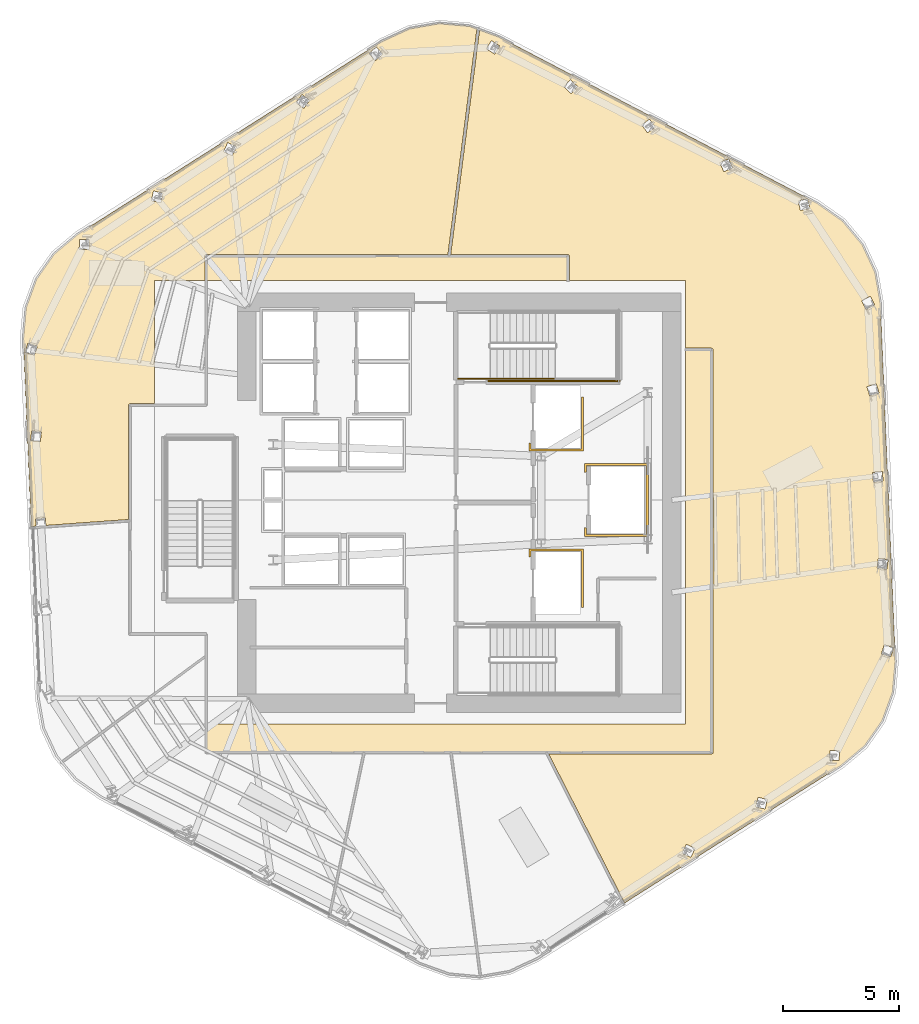
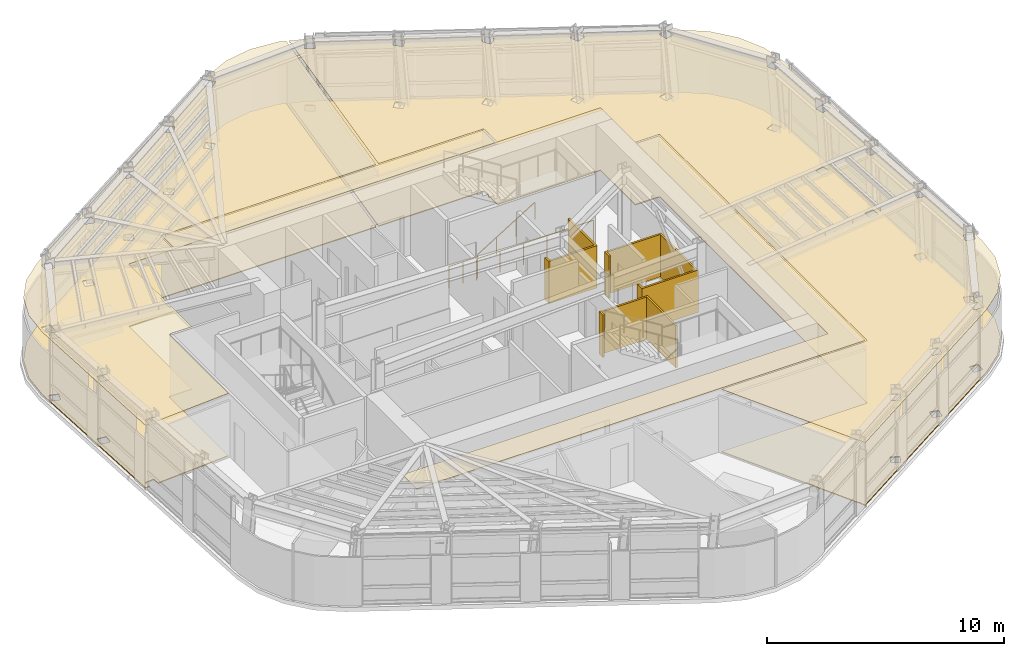
# One storey, part 12 of 15: 9 coverings, 3 railings.
"""IFC4 building model written with IfcOpenShell, lengths in metres."""

from ifc_helpers import new_model, si_unit, direction, frame, origin, origin_2d, place, context, subcontext, project, spatial, polyline, circle, outline, extrude, material, layer, layer_set, type_object, element, save


model = new_model("IFC4")

# Units and contexts
model_context = context("Model", 3, precision=1e-05, world=origin(), true_north=direction((0.0, 1.0)))
body_context = subcontext(model_context, "Body", "Model", "MODEL_VIEW")
ifc_project = project(units=[si_unit("LENGTHUNIT", "METRE"), si_unit("AREAUNIT", "SQUARE_METRE"), si_unit("VOLUMEUNIT", "CUBIC_METRE"), si_unit("PLANEANGLEUNIT", "RADIAN"), si_unit("MASSUNIT", "GRAM", prefix="KILO")], contexts=[model_context])

# Site, building, storey
site_placement = place(None, origin())
site = spatial("IfcSite", under=ifc_project, at=site_placement, CompositionType="ELEMENT")
building_placement = place(site_placement, origin())
building = spatial("IfcBuilding", under=site, at=building_placement, Name="Valkerne Bourse Tower", CompositionType="ELEMENT")
storey_placement = place(building_placement, frame((0.0, 0.0, 162.800048828125)))
storey = spatial("IfcBuildingStorey", under=building, at=storey_placement, Name="L41", CompositionType="ELEMENT", Elevation=162.800048828125)

# Coverings
ifc_material_1 = material(Name="Mineral Fiber Acoustic Ceiling Tile", Category="acoustic")
ifc_layer_1 = layer(ifc_material_1, 0.02490234375)
ifc_layer_set_1 = layer_set([ifc_layer_1], Name="Mineral Fiber Acoustic Ceiling Tile")
covering_type_1 = type_object("IfcCoveringType", Name="COV-CEIL-ACT", PredefinedType="CEILING", material=ifc_layer_set_1)
covering_1_placement = place(storey_placement, frame((0.0, 0.0, 3.22998046875)))
element("IfcCovering", 1, at=covering_1_placement, inside=storey, type_object=covering_type_1, Name="L41 Suspended Ceiling 08", PredefinedType="CEILING", context=body_context, shape_type="SweptSolid", body=[
    extrude(outline(polyline([(28.49951171875, 36.567138671875), (29.25830078125, 37.646728515625), (30.278076171875, 38.49951171875), (43.4296875, 46.845703125), (44.63525390625, 47.4052734375), (45.935302734375, 47.632080078125), (47.24951171875, 47.514892578125), (47.563720703125, 47.39990234375), (46.307373046875, 37.62890625), (35.849365234375, 37.62890625), (35.80419921875, 37.61181640625), (35.787353515625, 37.589111328125), (35.781005859375, 37.560302734375), (35.781005859375, 36.5), (33.60009765625, 36.5), (33.60009765625, 31.1689453125), (32.549560546875, 31.1689453125), (32.514892578125, 31.15966796875), (32.490966796875, 31.135986328125), (32.48095703125, 31.1005859375), (32.48095703125, 26.15673828125), (28.906982421875, 25.899169921875), (28.877197265625, 26.223388671875), (28.454345703125, 26.1845703125), (28.45458984375, 26.181884765625), (28.4833984375, 25.868408203125), (28.26953125, 25.85302734375), (27.927978515625, 34.004150390625), (28.046142578125, 35.327880859375), (28.49951171875, 36.567138671875)]), holes=[polyline([(28.6640625, 29.5341796875), (28.710693359375, 29.944580078125), (28.288818359375, 29.99267578125), (28.28857421875, 29.989990234375), (28.241943359375, 29.57958984375), (28.663818359375, 29.531494140625), (28.6640625, 29.5341796875)]), polyline([(28.532470703125, 33.66259765625), (28.127197265625, 33.7890625), (28.126220703125, 33.786376953125), (28.003173828125, 33.39208984375), (28.408447265625, 33.265380859375), (28.409423828125, 33.268310546875), (28.532470703125, 33.66259765625)]), polyline([(30.776123046875, 38.264892578125), (30.3623046875, 38.28125), (30.36083984375, 38.279052734375), (30.34521484375, 37.855712890625), (30.759033203125, 37.83935546875), (30.7607421875, 37.841796875), (30.776123046875, 38.264892578125)]), polyline([(33.96728515625, 40.2841796875), (33.56396484375, 40.3779296875), (33.56201171875, 40.3759765625), (33.467041015625, 39.962890625), (33.870361328125, 39.869140625), (33.872314453125, 39.87109375), (33.96728515625, 40.2841796875)]), polyline([(36.974365234375, 41.907958984375), (37.151123046875, 42.29296875), (36.775390625, 42.466796875), (36.773193359375, 42.46533203125), (36.59619140625, 42.080322265625), (36.97216796875, 41.906494140625), (36.974365234375, 41.907958984375)]), polyline([(40.072021484375, 43.95654296875), (40.323486328125, 44.29736328125), (39.990966796875, 44.544189453125), (39.98828125, 44.543212890625), (39.73681640625, 44.2021484375), (40.0693359375, 43.95556640625), (40.072021484375, 43.95654296875)]), polyline([(43.483642578125, 46.3046875), (43.20361328125, 46.609375), (43.20068359375, 46.60888671875), (42.8896484375, 46.3212890625), (43.169921875, 46.0166015625), (43.172607421875, 46.01708984375), (43.483642578125, 46.3046875)])]), origin(), (0.0, 0.0, 1.0), 0.02490234375),
])
covering_2_placement = place(storey_placement, frame((0.0, 0.0, 3.22998046875)))
element("IfcCovering", 2, at=covering_2_placement, inside=storey, type_object=covering_type_1, Name="L41 Suspended Ceiling 09", PredefinedType="CEILING", context=body_context, shape_type="SweptSolid", body=[
    extrude(outline(polyline([(64.341552734375, 16.353271484375), (63.322021484375, 15.50048828125), (53.95458984375, 9.555908203125), (53.84423828125, 9.772216796875), (53.863037109375, 9.7978515625), (53.811767578125, 9.8359375), (50.665283203125, 16.010986328125), (57.720703125, 16.010986328125), (57.7607421875, 16.024169921875), (57.784912109375, 16.056396484375), (57.7880859375, 33.510986328125), (57.76611328125, 33.5517578125), (57.723388671875, 33.56884765625), (56.60009765625, 33.569091796875), (56.60009765625, 36.5), (51.569091796875, 36.5), (51.56884765625, 37.5634765625), (51.551513671875, 37.606201171875), (51.510009765625, 37.62841796875), (46.42626953125, 37.62890625), (47.67724609375, 47.3583984375), (48.497802734375, 47.05810546875), (62.3017578125, 39.841552734375), (63.38916015625, 39.077392578125), (64.235595703125, 38.06494140625), (64.791259765625, 36.8681640625), (65.019775390625, 35.558837890625), (65.672119140625, 19.995849609375), (65.553955078125, 18.672119140625), (65.100341796875, 17.432861328125), (64.341552734375, 16.353271484375)]), holes=[polyline([(51.611572265625, 45.187744140625), (51.60888671875, 45.1884765625), (51.326904296875, 44.88525390625), (51.63623046875, 44.595947265625), (51.638916015625, 44.59521484375), (51.9208984375, 44.8984375), (51.611572265625, 45.187744140625)]), polyline([(48.19140625, 46.882080078125), (48.1884765625, 46.88232421875), (47.968505859375, 46.531494140625), (48.32666015625, 46.305419921875), (48.329345703125, 46.305419921875), (48.54931640625, 46.656005859375), (48.19140625, 46.882080078125)]), polyline([(56.826904296875, 11.53466796875), (57.003662109375, 11.919677734375), (56.6279296875, 12.093505859375), (56.625732421875, 12.092041015625), (56.44873046875, 11.70703125), (56.82470703125, 11.533203125), (56.826904296875, 11.53466796875)]), polyline([(60.0380859375, 13.6240234375), (60.1328125, 14.037109375), (59.7294921875, 14.130859375), (59.727783203125, 14.12890625), (59.6328125, 13.7158203125), (60.0361328125, 13.6220703125), (60.0380859375, 13.6240234375)]), polyline([(63.254638671875, 16.144287109375), (62.841064453125, 16.16064453125), (62.83935546875, 16.158203125), (62.823974609375, 15.735107421875), (63.237548828125, 15.71875), (63.2392578125, 15.720947265625), (63.254638671875, 16.144287109375)]), polyline([(65.5966796875, 20.60791015625), (65.19140625, 20.734619140625), (65.1904296875, 20.731689453125), (65.067626953125, 20.33740234375), (65.472900390625, 20.2109375), (65.473876953125, 20.213623046875), (65.5966796875, 20.60791015625)]), polyline([(65.358154296875, 24.42041015625), (64.936279296875, 24.468505859375), (64.935791015625, 24.4658203125), (64.88916015625, 24.055419921875), (65.31103515625, 24.00732421875), (65.3115234375, 24.010009765625), (65.358154296875, 24.42041015625)]), polyline([(65.1455078125, 27.8154296875), (65.1455078125, 27.818115234375), (65.107421875, 28.2294921875), (64.684814453125, 28.19091796875), (64.684814453125, 28.18798828125), (64.722900390625, 27.776611328125), (65.1455078125, 27.8154296875)]), polyline([(64.9697265625, 31.634033203125), (64.84912109375, 32.029052734375), (64.443115234375, 31.905029296875), (64.443603515625, 31.902587890625), (64.564453125, 31.50732421875), (64.970458984375, 31.63134765625), (64.9697265625, 31.634033203125)]), polyline([(64.782958984375, 35.448486328125), (64.78173828125, 35.451171875), (64.589111328125, 35.81640625), (64.21337890625, 35.618408203125), (64.214599609375, 35.61572265625), (64.407470703125, 35.25048828125), (64.782958984375, 35.448486328125)]), polyline([(61.968017578125, 39.623779296875), (61.87548828125, 40.037109375), (61.873779296875, 40.039306640625), (61.4697265625, 39.94775390625), (61.56201171875, 39.534423828125), (61.56396484375, 39.5322265625), (61.968017578125, 39.623779296875)]), polyline([(58.46044921875, 41.76416015625), (58.45849609375, 41.765869140625), (58.078857421875, 41.60009765625), (58.247314453125, 41.21142578125), (58.24951171875, 41.209716796875), (58.62890625, 41.37548828125), (58.46044921875, 41.76416015625)]), polyline([(55.281005859375, 43.1357421875), (55.036865234375, 43.48193359375), (55.03466796875, 43.483154296875), (54.69677734375, 43.24365234375), (54.94091796875, 42.8974609375), (54.943115234375, 42.896240234375), (55.281005859375, 43.1357421875)])]), origin(), (0.0, 0.0, 1.0), 0.02490234375),
])
ifc_material_2 = material(Name="Bronze Anodised Aluminium AA 6063-T6", Category="aluminium")
ifc_layer_2 = layer(ifc_material_2, 0.030029296875)
ifc_layer_set_2 = layer_set([ifc_layer_2], Name="Bronze Anodised Aluminium AA 6063-T6")
covering_type_2 = type_object("IfcCoveringType", Name="COV-CEIL-METAL", PredefinedType="CEILING", material=ifc_layer_set_2)
covering_3_placement = place(storey_placement, frame((0.0, 0.0, 3.22998046875)))
element("IfcCovering", 3, at=covering_3_placement, inside=storey, type_object=covering_type_2, Name="L41 Suspended Ceiling 01", PredefinedType="CEILING", context=body_context, shape_type="SweptSolid", body=[
    extrude(outline(polyline([(35.85400390625, 17.300048828125), (56.60009765625, 17.300048828125), (56.60009765625, 33.49609375), (57.716064453125, 33.49609375), (57.716064453125, 16.083984375), (35.85400390625, 16.083984375), (35.85400390625, 17.300048828125)])), origin(), (0.0, 0.0, 1.0), 0.02490234375),
])
covering_4_placement = place(storey_placement, frame((0.0, 0.0, 3.22998046875)))
element("IfcCovering", 4, at=covering_4_placement, inside=storey, type_object=covering_type_2, Name="L41 Suspended Ceiling 03", PredefinedType="CEILING", context=body_context, shape_type="SweptSolid", body=[
    extrude(outline(polyline([(35.85400390625, 37.555908203125), (51.49609375, 37.555908203125), (51.49609375, 36.5), (35.85400390625, 36.5), (35.85400390625, 37.555908203125)])), origin(), (0.0, 0.0, 1.0), 0.02490234375),
])
ifc_material_3 = material(Name="Galvanised Painted Steel", Category="steel")
ifc_layer_3 = layer(ifc_material_3, 0.044921875)
ifc_layer_set_3 = layer_set([ifc_layer_3], Name="Galvanised Painted Steel")
covering_type_3 = type_object("IfcCoveringType", Name="COV-FLR-RAF", PredefinedType="FLOORING", material=ifc_layer_set_3)
covering_5_placement = place(storey_placement, origin())
element("IfcCovering", 5, at=covering_5_placement, inside=storey, type_object=covering_type_3, Name="L41 Floor Finish 08", PredefinedType="FLOORING", context=body_context, shape_type="SweptSolid", body=[
    extrude(outline(polyline([(28.49951171875, 36.567138671875), (29.25830078125, 37.646728515625), (30.278076171875, 38.49951171875), (43.4296875, 46.845703125), (44.63525390625, 47.4052734375), (45.935302734375, 47.632080078125), (47.24951171875, 47.514892578125), (47.563720703125, 47.39990234375), (46.307373046875, 37.62890625), (35.849365234375, 37.62890625), (35.80419921875, 37.61181640625), (35.787353515625, 37.589111328125), (35.781005859375, 37.560302734375), (35.781005859375, 36.5), (33.60009765625, 36.5), (33.60009765625, 31.1689453125), (32.549560546875, 31.1689453125), (32.514892578125, 31.15966796875), (32.490966796875, 31.135986328125), (32.48095703125, 31.1005859375), (32.48095703125, 26.15673828125), (28.906982421875, 25.899169921875), (28.877197265625, 26.223388671875), (28.454345703125, 26.1845703125), (28.45458984375, 26.181884765625), (28.4833984375, 25.868408203125), (28.26953125, 25.85302734375), (27.927978515625, 34.004150390625), (28.046142578125, 35.327880859375), (28.49951171875, 36.567138671875)]), holes=[polyline([(28.6640625, 29.5341796875), (28.710693359375, 29.944580078125), (28.288818359375, 29.99267578125), (28.28857421875, 29.989990234375), (28.241943359375, 29.57958984375), (28.663818359375, 29.531494140625), (28.6640625, 29.5341796875)]), polyline([(28.532470703125, 33.66259765625), (28.127197265625, 33.7890625), (28.126220703125, 33.786376953125), (28.003173828125, 33.39208984375), (28.408447265625, 33.265380859375), (28.409423828125, 33.268310546875), (28.532470703125, 33.66259765625)]), polyline([(30.776123046875, 38.264892578125), (30.3623046875, 38.28125), (30.36083984375, 38.279052734375), (30.34521484375, 37.855712890625), (30.759033203125, 37.83935546875), (30.7607421875, 37.841796875), (30.776123046875, 38.264892578125)]), polyline([(33.96728515625, 40.2841796875), (33.56396484375, 40.3779296875), (33.56201171875, 40.3759765625), (33.467041015625, 39.962890625), (33.870361328125, 39.869140625), (33.872314453125, 39.87109375), (33.96728515625, 40.2841796875)]), polyline([(36.974365234375, 41.907958984375), (37.151123046875, 42.29296875), (36.775390625, 42.466796875), (36.773193359375, 42.46533203125), (36.59619140625, 42.080322265625), (36.97216796875, 41.906494140625), (36.974365234375, 41.907958984375)]), polyline([(40.072021484375, 43.95654296875), (40.323486328125, 44.29736328125), (39.990966796875, 44.544189453125), (39.98828125, 44.543212890625), (39.73681640625, 44.2021484375), (40.0693359375, 43.95556640625), (40.072021484375, 43.95654296875)]), polyline([(43.483642578125, 46.3046875), (43.20361328125, 46.609375), (43.20068359375, 46.60888671875), (42.8896484375, 46.3212890625), (43.169921875, 46.0166015625), (43.172607421875, 46.01708984375), (43.483642578125, 46.3046875)])]), origin(), (0.0, 0.0, 1.0), 0.044921875),
])
covering_6_placement = place(storey_placement, origin())
element("IfcCovering", 6, at=covering_6_placement, inside=storey, type_object=covering_type_3, Name="L41 Floor Finish 09", PredefinedType="FLOORING", context=body_context, shape_type="SweptSolid", body=[
    extrude(outline(polyline([(64.341552734375, 16.353271484375), (63.322021484375, 15.50048828125), (53.95458984375, 9.555908203125), (53.84423828125, 9.772216796875), (53.863037109375, 9.7978515625), (53.811767578125, 9.8359375), (50.665283203125, 16.010986328125), (57.720703125, 16.010986328125), (57.7607421875, 16.024169921875), (57.784912109375, 16.056396484375), (57.7880859375, 33.510986328125), (57.76611328125, 33.5517578125), (57.723388671875, 33.56884765625), (56.60009765625, 33.569091796875), (56.60009765625, 36.5), (51.569091796875, 36.5), (51.56884765625, 37.5634765625), (51.551513671875, 37.606201171875), (51.510009765625, 37.62841796875), (46.42626953125, 37.62890625), (47.67724609375, 47.3583984375), (48.497802734375, 47.05810546875), (62.3017578125, 39.841552734375), (63.38916015625, 39.077392578125), (64.235595703125, 38.06494140625), (64.791259765625, 36.8681640625), (65.019775390625, 35.558837890625), (65.672119140625, 19.995849609375), (65.553955078125, 18.672119140625), (65.100341796875, 17.432861328125), (64.341552734375, 16.353271484375)]), holes=[polyline([(51.611572265625, 45.187744140625), (51.60888671875, 45.1884765625), (51.326904296875, 44.88525390625), (51.63623046875, 44.595947265625), (51.638916015625, 44.59521484375), (51.9208984375, 44.8984375), (51.611572265625, 45.187744140625)]), polyline([(48.19140625, 46.882080078125), (48.1884765625, 46.88232421875), (47.968505859375, 46.531494140625), (48.32666015625, 46.305419921875), (48.329345703125, 46.305419921875), (48.54931640625, 46.656005859375), (48.19140625, 46.882080078125)]), polyline([(56.826904296875, 11.53466796875), (57.003662109375, 11.919677734375), (56.6279296875, 12.093505859375), (56.625732421875, 12.092041015625), (56.44873046875, 11.70703125), (56.82470703125, 11.533203125), (56.826904296875, 11.53466796875)]), polyline([(60.0380859375, 13.6240234375), (60.1328125, 14.037109375), (59.7294921875, 14.130859375), (59.727783203125, 14.12890625), (59.6328125, 13.7158203125), (60.0361328125, 13.6220703125), (60.0380859375, 13.6240234375)]), polyline([(63.254638671875, 16.144287109375), (62.841064453125, 16.16064453125), (62.83935546875, 16.158203125), (62.823974609375, 15.735107421875), (63.237548828125, 15.71875), (63.2392578125, 15.720947265625), (63.254638671875, 16.144287109375)]), polyline([(65.5966796875, 20.60791015625), (65.19140625, 20.734619140625), (65.1904296875, 20.731689453125), (65.067626953125, 20.33740234375), (65.472900390625, 20.2109375), (65.473876953125, 20.213623046875), (65.5966796875, 20.60791015625)]), polyline([(65.358154296875, 24.42041015625), (64.936279296875, 24.468505859375), (64.935791015625, 24.4658203125), (64.88916015625, 24.055419921875), (65.31103515625, 24.00732421875), (65.3115234375, 24.010009765625), (65.358154296875, 24.42041015625)]), polyline([(65.1455078125, 27.8154296875), (65.1455078125, 27.818115234375), (65.107421875, 28.2294921875), (64.684814453125, 28.19091796875), (64.684814453125, 28.18798828125), (64.722900390625, 27.776611328125), (65.1455078125, 27.8154296875)]), polyline([(64.9697265625, 31.634033203125), (64.84912109375, 32.029052734375), (64.443115234375, 31.905029296875), (64.443603515625, 31.902587890625), (64.564453125, 31.50732421875), (64.970458984375, 31.63134765625), (64.9697265625, 31.634033203125)]), polyline([(64.782958984375, 35.448486328125), (64.78173828125, 35.451171875), (64.589111328125, 35.81640625), (64.21337890625, 35.618408203125), (64.214599609375, 35.61572265625), (64.407470703125, 35.25048828125), (64.782958984375, 35.448486328125)]), polyline([(61.968017578125, 39.623779296875), (61.87548828125, 40.037109375), (61.873779296875, 40.039306640625), (61.4697265625, 39.94775390625), (61.56201171875, 39.534423828125), (61.56396484375, 39.5322265625), (61.968017578125, 39.623779296875)]), polyline([(58.46044921875, 41.76416015625), (58.45849609375, 41.765869140625), (58.078857421875, 41.60009765625), (58.247314453125, 41.21142578125), (58.24951171875, 41.209716796875), (58.62890625, 41.37548828125), (58.46044921875, 41.76416015625)]), polyline([(55.281005859375, 43.1357421875), (55.036865234375, 43.48193359375), (55.03466796875, 43.483154296875), (54.69677734375, 43.24365234375), (54.94091796875, 42.8974609375), (54.943115234375, 42.896240234375), (55.281005859375, 43.1357421875)])]), origin(), (0.0, 0.0, 1.0), 0.044921875),
])
ifc_material_4 = material(Name="Gypsum Shaftwall Liner Board", Category="gypsum")
ifc_layer_4 = layer(ifc_material_4, 0.080078125)
ifc_layer_set_4 = layer_set([ifc_layer_4], Name="Gypsum Shaftwall Liner Board")
covering_type_4 = type_object("IfcCoveringType", Name="COV-SHF-CLAD", PredefinedType="CLADDING", material=ifc_layer_set_4)
covering_7_placement = place(storey_placement, origin())
element("IfcCovering", 7, at=covering_7_placement, inside=storey, type_object=covering_type_4, Name="L41 Hoistway & Riser Shaftwall Liner 05", PredefinedType="CLADDING", context=body_context, shape_type="SweptSolid", body=[
    extrude(outline(polyline([(52.179931640625, 22.35009765625), (52.090087890625, 22.35009765625), (52.090087890625, 24.7900390625), (49.909912109375, 24.7900390625), (49.909912109375, 24.560791015625), (49.869384765625, 24.550537109375), (49.827880859375, 24.53564453125), (49.820068359375, 24.531982421875), (49.820068359375, 24.8798828125), (52.179931640625, 24.8798828125), (52.179931640625, 22.35009765625)])), origin(), (0.0, 0.0, 1.0), 2.179931640625),
])
covering_8_placement = place(storey_placement, origin())
element("IfcCovering", 8, at=covering_8_placement, inside=storey, type_object=covering_type_4, Name="L41 Hoistway & Riser Shaftwall Liner 06", PredefinedType="CLADDING", context=body_context, shape_type="SweptSolid", body=[
    extrude(outline(polyline([(54.97998046875, 25.419921875), (52.219970703125, 25.419921875), (52.219970703125, 25.81787109375), (52.227783203125, 25.814208984375), (52.269287109375, 25.79931640625), (52.31005859375, 25.789306640625), (52.31005859375, 25.510009765625), (54.889892578125, 25.510009765625), (54.889892578125, 28.489990234375), (52.31005859375, 28.489990234375), (52.31005859375, 28.210693359375), (52.269287109375, 28.20068359375), (52.227783203125, 28.185791015625), (52.219970703125, 28.18212890625), (52.219970703125, 28.580078125), (54.97998046875, 28.580078125), (54.97998046875, 25.419921875)])), origin(), (0.0, 0.0, 1.0), 2.179931640625),
])
covering_9_placement = place(storey_placement, origin())
element("IfcCovering", 9, at=covering_9_placement, inside=storey, type_object=covering_type_4, Name="L41 Hoistway & Riser Shaftwall Liner 08", PredefinedType="CLADDING", context=body_context, shape_type="SweptSolid", body=[
    extrude(outline(polyline([(49.820068359375, 29.1201171875), (49.820068359375, 29.468017578125), (49.827880859375, 29.46435546875), (49.869384765625, 29.449462890625), (49.909912109375, 29.439208984375), (49.909912109375, 29.2099609375), (52.090087890625, 29.2099609375), (52.090087890625, 31.449951171875), (52.179931640625, 31.449951171875), (52.179931640625, 29.1201171875), (49.820068359375, 29.1201171875)])), origin(), (0.0, 0.0, 1.0), 2.179931640625),
])

# Railings
railing_type_1 = type_object("IfcRailingType", Name="RLG-ST-GUARD-1120", PredefinedType="GUARDRAIL", material=ifc_material_3)
railing_1_placement = place(storey_placement, frame((46.75, 32.25, 0.0)))
element("IfcRailing", 10, at=railing_1_placement, inside=storey, type_object=railing_type_1, Name="L41 ST-2 stair guard 8", PredefinedType="GUARDRAIL", context=body_context, shape_type="SweptSolid", body=[
    extrude(circle(Radius=0.02392578125, at=origin_2d()), frame((0.0, 0.0, 1.09619140625), z_axis=(1.0, 0.0, 0.0), x_axis=(0.0, 1.0, 0.0)), (0.0, 0.0, 1.0), 1.39990234375),
    extrude(circle(Radius=0.02099609375, at=origin_2d()), origin(), (0.0, 0.0, 1.0), 1.072021484375),
    extrude(circle(Radius=0.02099609375, at=origin_2d()), frame((0.699951171875, 0.0, 0.0)), (0.0, 0.0, 1.0), 1.072021484375),
    extrude(circle(Radius=0.02099609375, at=origin_2d()), frame((1.39990234375, 0.0, 0.0)), (0.0, 0.0, 1.0), 1.072021484375),
])
railing_2_placement = place(storey_placement, frame((48.050048828125, 32.14990234375, 0.0)))
element("IfcRailing", 11, at=railing_2_placement, inside=storey, type_object=railing_type_1, Name="L41 ST-2 stair guard 10", PredefinedType="GUARDRAIL", context=body_context, shape_type="SweptSolid", body=[
    extrude(circle(Radius=0.02392578125, at=origin_2d()), frame((0.0, 0.0, 1.09619140625), z_axis=(1.0, 0.0, 0.0), x_axis=(0.0, 1.0, 0.0)), (0.0, 0.0, 1.0), 5.699951171875),
    extrude(circle(Radius=0.02099609375, at=origin_2d()), origin(), (0.0, 0.0, 1.0), 1.072021484375),
    extrude(circle(Radius=0.02099609375, at=origin_2d()), frame((1.139892578125, 0.0, 0.0)), (0.0, 0.0, 1.0), 1.072021484375),
    extrude(circle(Radius=0.02099609375, at=origin_2d()), frame((2.280029296875, 0.0, 0.0)), (0.0, 0.0, 1.0), 1.072021484375),
    extrude(circle(Radius=0.02099609375, at=origin_2d()), frame((3.419921875, 0.0, 0.0)), (0.0, 0.0, 1.0), 1.072021484375),
    extrude(circle(Radius=0.02099609375, at=origin_2d()), frame((4.56005859375, 0.0, 0.0)), (0.0, 0.0, 1.0), 1.072021484375),
    extrude(circle(Radius=0.02099609375, at=origin_2d()), frame((5.699951171875, 0.0, 0.0)), (0.0, 0.0, 1.0), 1.072021484375),
])
ifc_material_5 = material(Name="Stainless Steel AISI 316", Category="steel")
railing_type_2 = type_object("IfcRailingType", Name="RLG-ST-HANDRAIL-900", PredefinedType="HANDRAIL", material=ifc_material_5)
railing_3_placement = place(storey_placement, frame((48.14990234375, 32.25, 0.345458984375)))
element("IfcRailing", 12, at=railing_3_placement, inside=storey, type_object=railing_type_2, Name="L41 ST-2 stair handrail 1", PredefinedType="HANDRAIL", context=body_context, shape_type="SweptSolid", body=[
    extrude(circle(Radius=0.02392578125, at=origin_2d()), frame((0.0, 0.0, 0.8759765625), z_axis=(0.851089632645, 0.0, 0.525020415988), x_axis=(0.0, 1.0, 0.0)), (0.0, 0.0, 1.0), 3.2900390625),
    extrude(circle(Radius=0.02099609375, at=origin_2d()), origin(), (0.0, 0.0, 1.0), 0.851806640625),
    extrude(circle(Radius=0.02099609375, at=origin_2d()), frame((0.933349609375, 0.0, 0.57568359375)), (0.0, 0.0, 1.0), 0.851806640625),
    extrude(circle(Radius=0.02099609375, at=origin_2d()), frame((1.86669921875, 0.0, 1.151611328125)), (0.0, 0.0, 1.0), 0.851806640625),
    extrude(circle(Radius=0.02099609375, at=origin_2d()), frame((2.800048828125, 0.0, 1.727294921875)), (0.0, 0.0, 1.0), 0.851806640625),
])

save(model, "model.ifc")
